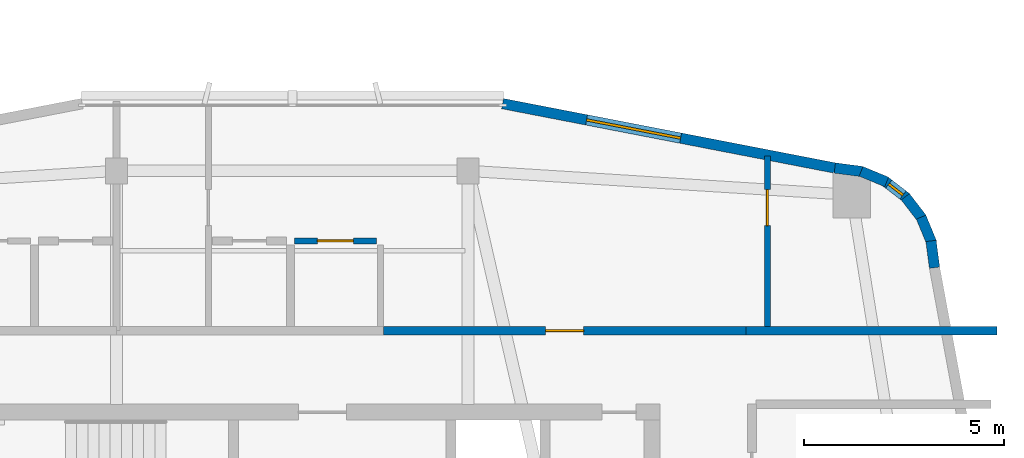
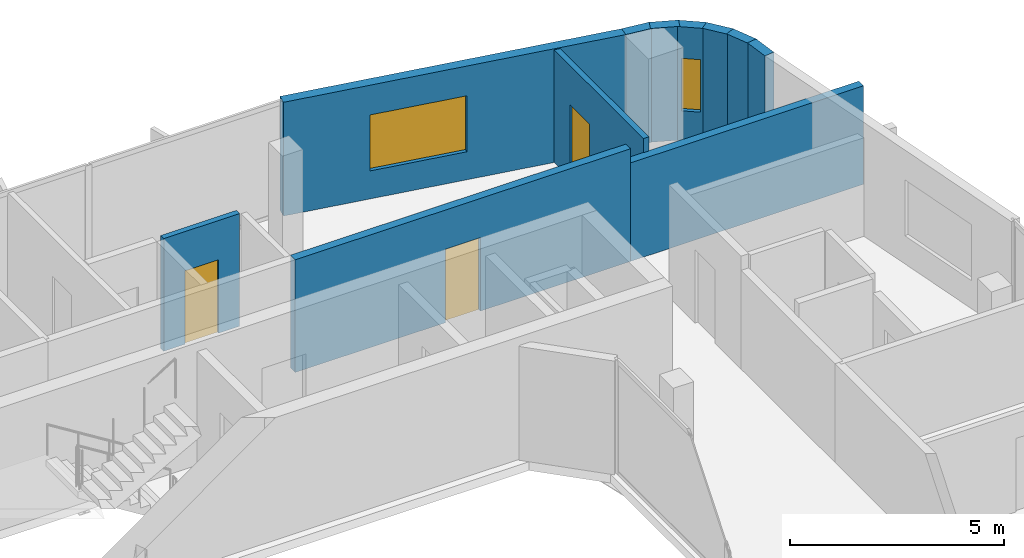
# One storey, part 20 of 26: 11 walls, 3 doors, 2 windows, 5 openings.
"""IFC4 building model written with IfcOpenShell, lengths in metres."""

from ifc_helpers import new_model, si_unit, derived_unit, direction, frame, frame_2d, origin, place, context, subcontext, project, spatial, rectangle, extrude, material, layer, layer_set, type_object, element, fill, save


model = new_model("IFC4")

# Units and contexts
model_context = context("Model", 3, precision=1e-05, world=origin(), true_north=direction((0.0, 1.0)))
body_context = subcontext(model_context, "Body", "Model", "MODEL_VIEW")
ifc_project = project(units=[si_unit("LENGTHUNIT", "METRE"), si_unit("AREAUNIT", "SQUARE_METRE"), si_unit("VOLUMEUNIT", "CUBIC_METRE"), si_unit("PLANEANGLEUNIT", "RADIAN"), si_unit("MASSUNIT", "GRAM", prefix="KILO"), derived_unit("THERMALTRANSMITTANCEUNIT", [(si_unit("POWERUNIT", "WATT"), 1), (si_unit("LENGTHUNIT", "METRE"), -2), (si_unit("THERMODYNAMICTEMPERATUREUNIT", "KELVIN"), -1)])], contexts=[model_context])

# Site, building, storey
site_placement = place(None, origin())
site = spatial("IfcSite", under=ifc_project, at=site_placement, CompositionType="ELEMENT")
building_placement = place(site_placement, origin())
building = spatial("IfcBuilding", under=site, at=building_placement, Name="Kivonza Crest Hotel", CompositionType="ELEMENT")
storey_placement = place(building_placement, frame((0.0, 0.0, 127.5)))
storey = spatial("IfcBuildingStorey", under=building, at=storey_placement, Name="L34", CompositionType="ELEMENT", Elevation=127.5)

# Wall
ifc_material_1 = material(Name="Autoclaved aerated concrete blockwork", Category="masonry")
ifc_layer_1 = layer(ifc_material_1, 0.219970703125)
ifc_layer_set_1 = layer_set([ifc_layer_1], Name="Autoclaved aerated concrete blockwork")
wall_type_1 = type_object("IfcWallType", Name="WL-ACOU-220", PredefinedType="SOLIDWALL", material=ifc_layer_set_1)
wall_1_placement = place(storey_placement, frame((88.35009765625, 37.60009765625, 0.0), z_axis=(0.0, 0.0, 1.0), x_axis=(1.0, 0.0, 0.0)))
element("IfcWall", 1, at=wall_1_placement, inside=storey, type_object=wall_type_1, Name="L34 interior partition WA-L34-A02-RCORR", PredefinedType="SOLIDWALL", context=body_context, shape_type="SweptSolid", body=[
    extrude(rectangle(XDim=6.289794921875, YDim=0.219970703125, at=frame_2d((3.14501953125, 0.0))), origin(), (0.0, 0.0, 1.0), 2.81494140625),
])

# Wall, opening, door
wall_2_placement = place(storey_placement, frame((79.280029296875, 37.60009765625, 0.0), z_axis=(0.0, 0.0, 1.0), x_axis=(1.0, 0.0, 0.0)))
wall_2 = element("IfcWall", 2, at=wall_2_placement, inside=storey, type_object=wall_type_1, Name="L34 interior partition WA-L34-A02-MCORR", PredefinedType="SOLIDWALL", context=body_context, shape_type="SweptSolid", body=[
    extrude(rectangle(XDim=9.070068359375, YDim=0.219970703125, at=frame_2d((4.53515625, 0.0))), origin(), (0.0, 0.0, 1.0), 3.219970703125),
])
opening_1_placement = place(wall_2_placement, frame((4.06005859375, 0.0, 0.0)))
opening_1 = element("IfcOpeningElement", 3, at=opening_1_placement, cuts=wall_2, Name="Opening DU-60", PredefinedType="OPENING", context=body_context, shape_type="SweptSolid", body=[
    extrude(rectangle(XDim=0.949951171875, YDim=2.10009765625, at=frame_2d((0.47509765625, 1.050048828125))), frame((0.0, 0.1201171875, 0.0), z_axis=(0.0, -1.0, 0.0), x_axis=(1.0, 0.0, 0.0)), (0.0, 0.0, 1.0), 0.239990234375),
])
ifc_material_2 = material(Name="Hardwood timber oak", Category="wood")
door_type_1 = type_object("IfcDoorType", Name="DR-UNIT-950", OperationType="NOTDEFINED", PredefinedType="DOOR", material=ifc_material_2)
door_1_placement = place(opening_1_placement, origin())
door_1 = element("IfcDoor", 4, at=door_1_placement, inside=storey, type_object=door_type_1, Name="L34 A02 apartment entrance fire door", OperationType="SINGLE_SWING_RIGHT", OverallHeight=2.10009765625, OverallWidth=0.949951171875, PredefinedType="DOOR", context=body_context, shape_type="SweptSolid", body=[
    extrude(rectangle(XDim=0.949951171875, YDim=2.10009765625, at=frame_2d((0.47509765625, 1.050048828125))), frame((0.0, 0.02490234375, 0.0), z_axis=(0.0, -1.0, 0.0), x_axis=(1.0, 0.0, 0.0)), (0.0, 0.0, 1.0), 0.050048828125),
])
fill(opening_1, door_1)

# Walls
ifc_material_3 = material(Name="Precast concrete C40/50", Category="concrete")
ifc_layer_2 = layer(ifc_material_3, 0.260009765625)
ifc_layer_set_2 = layer_set([ifc_layer_2], Name="Precast concrete C40/50")
wall_type_2 = type_object("IfcWallType", Name="WL-EXT-260", PredefinedType="STANDARD", material=ifc_layer_set_2)
wall_3_placement = place(storey_placement, frame((93.072021484375, 39.175048828125, 0.0), z_axis=(0.0, 0.0, 1.0), x_axis=(-0.131667498923, 0.991293937098, 0.0)))
element("IfcWall", 5, at=wall_3_placement, inside=storey, type_object=wall_type_2, Name="L34 T2 exterior insulated wall 19", PredefinedType="STANDARD", context=body_context, shape_type="SweptSolid", body=[
    extrude(rectangle(XDim=0.6767578125, YDim=0.260009765625, at=frame_2d((0.33837890625, 0.0))), origin(), (0.0, 0.0, 1.0), 3.25),
])
wall_4_placement = place(storey_placement, frame((93.0009765625, 39.800048828125, 0.0), z_axis=(0.0, 0.0, 1.0), x_axis=(-0.381988976935, 0.924166879681, 0.0)))
element("IfcWall", 6, at=wall_4_placement, inside=storey, type_object=wall_type_2, Name="L34 T2 exterior insulated wall 20", PredefinedType="STANDARD", context=body_context, shape_type="SweptSolid", body=[
    extrude(rectangle(XDim=0.693359375, YDim=0.260009765625, at=frame_2d((0.3466796875, 0.0))), origin(), (0.0, 0.0, 1.0), 3.25),
])
wall_5_placement = place(storey_placement, frame((92.763916015625, 40.40087890625, 0.0), z_axis=(0.0, 0.0, 1.0), x_axis=(-0.609472651958, 0.792807092876, 0.0)))
element("IfcWall", 7, at=wall_5_placement, inside=storey, type_object=wall_type_2, Name="L34 T2 exterior insulated wall 21", PredefinedType="STANDARD", context=body_context, shape_type="SweptSolid", body=[
    extrude(rectangle(XDim=0.69384765625, YDim=0.260009765625, at=frame_2d((0.346923828125, 0.0))), origin(), (0.0, 0.0, 1.0), 3.25),
])

# Wall, opening, window
wall_6_placement = place(storey_placement, frame((92.37890625, 40.919921875, 0.0), z_axis=(0.0, 0.0, 1.0), x_axis=(-0.792506234191, 0.609863811657, 0.0)))
wall_6 = element("IfcWall", 8, at=wall_6_placement, inside=storey, type_object=wall_type_2, Name="L34 T2 exterior insulated wall 22", PredefinedType="STANDARD", context=body_context, shape_type="SweptSolid", body=[
    extrude(rectangle(XDim=0.69384765625, YDim=0.260009765625, at=frame_2d((0.346923828125, 0.0))), origin(), (0.0, 0.0, 1.0), 3.25),
])
opening_2_placement = place(wall_6_placement, frame((0.1220703125, 0.0, 0.85009765625)))
opening_2 = element("IfcOpeningElement", 9, at=opening_2_placement, cuts=wall_6, Name="Opening WN-11", PredefinedType="OPENING", context=body_context, shape_type="SweptSolid", body=[
    extrude(rectangle(XDim=0.449951171875, YDim=1.5, at=frame_2d((0.22509765625, 0.75))), frame((0.0, 0.14013671875, 0.0), z_axis=(0.0, -1.0, 0.0), x_axis=(1.0, 0.0, 0.0)), (0.0, 0.0, 1.0), 0.280029296875),
])
ifc_material_4 = material(Name="Thermally broken bronze aluminium and low-E double glazing", Category="aluminium")
window_type_1 = type_object("IfcWindowType", Name="WN-045x150", PartitioningType="SINGLE_PANEL", PredefinedType="WINDOW", material=ifc_material_4)
window_1_placement = place(opening_2_placement, origin())
window_1 = element("IfcWindow", 10, at=window_1_placement, inside=storey, type_object=window_type_1, Name="L34 corner vision window 5", OverallHeight=1.5, OverallWidth=0.449951171875, PartitioningType="SINGLE_PANEL", PredefinedType="WINDOW", context=body_context, shape_type="SweptSolid", body=[
    extrude(rectangle(XDim=0.449951171875, YDim=1.5, at=frame_2d((0.22509765625, 0.75))), frame((0.0, 0.030029296875, 0.0), z_axis=(0.0, -1.0, 0.0), x_axis=(1.0, 0.0, 0.0)), (0.0, 0.0, 1.0), 0.06005859375),
])
fill(opening_2, window_1)

# Walls
wall_7_placement = place(storey_placement, frame((91.873046875, 41.322021484375, 0.0), z_axis=(0.0, 0.0, 1.0), x_axis=(-0.92421822618, 0.381864727877, 0.0)))
element("IfcWall", 11, at=wall_7_placement, inside=storey, type_object=wall_type_2, Name="L34 T2 exterior insulated wall 23", PredefinedType="STANDARD", context=body_context, shape_type="SweptSolid", body=[
    extrude(rectangle(XDim=0.693603515625, YDim=0.260009765625, at=frame_2d((0.3466796875, 0.0))), origin(), (0.0, 0.0, 1.0), 3.25),
])
wall_8_placement = place(storey_placement, frame((91.281005859375, 41.5791015625, 0.0), z_axis=(0.0, 0.0, 1.0), x_axis=(-0.991433279471, 0.130614135366, 0.0)))
element("IfcWall", 12, at=wall_8_placement, inside=storey, type_object=wall_type_2, Name="L34 T2 exterior insulated wall 24", PredefinedType="STANDARD", context=body_context, shape_type="SweptSolid", body=[
    extrude(rectangle(XDim=0.712158203125, YDim=0.260009765625, at=frame_2d((0.35595703125, 0.0))), origin(), (0.0, 0.0, 1.0), 3.25),
])

# Wall, opening, window
wall_9_placement = place(storey_placement, frame((90.5830078125, 41.669921875, 0.0), z_axis=(0.0, 0.0, 1.0), x_axis=(-0.981750199588, 0.190175039396, 0.0)))
wall_9 = element("IfcWall", 13, at=wall_9_placement, inside=storey, type_object=wall_type_2, Name="L34 T2 exterior insulated wall 25", PredefinedType="STANDARD", context=body_context, shape_type="SweptSolid", body=[
    extrude(rectangle(XDim=8.476806640625, YDim=0.260009765625, at=frame_2d((4.23828125, 0.0))), origin(), (0.0, 0.0, 1.0), 3.25),
])
opening_3_placement = place(wall_9_placement, frame((3.93701171875, 0.0, 0.800048828125)))
opening_3 = element("IfcOpeningElement", 14, at=opening_3_placement, cuts=wall_9, Name="Opening WN-05", PredefinedType="OPENING", context=body_context, shape_type="SweptSolid", body=[
    extrude(rectangle(XDim=2.39990234375, YDim=1.60009765625, at=frame_2d((1.199951171875, 0.800048828125))), frame((0.0, 0.14013671875, 0.0), z_axis=(0.0, -1.0, 0.0), x_axis=(1.0, 0.0, 0.0)), (0.0, 0.0, 1.0), 0.280029296875),
])
window_type_2 = type_object("IfcWindowType", Name="WN-240x160", PartitioningType="TRIPLE_PANEL_VERTICAL", PredefinedType="WINDOW", material=ifc_material_4)
window_2_placement = place(opening_3_placement, origin())
window_2 = element("IfcWindow", 15, at=window_2_placement, inside=storey, type_object=window_type_2, Name="L34 T2 facade window 25", OverallHeight=1.60009765625, OverallWidth=2.39990234375, PartitioningType="SINGLE_PANEL", PredefinedType="WINDOW", context=body_context, shape_type="SweptSolid", body=[
    extrude(rectangle(XDim=2.39990234375, YDim=1.60009765625, at=frame_2d((1.199951171875, 0.800048828125))), frame((0.0, 0.030029296875, 0.0), z_axis=(0.0, -1.0, 0.0), x_axis=(1.0, 0.0, 0.0)), (0.0, 0.0, 1.0), 0.06005859375),
])
fill(opening_3, window_2)

# Wall, opening, door
ifc_material_5 = material(Name="Twin-stud acoustic gypsum board partition", Category="gypsum")
ifc_layer_3 = layer(ifc_material_5, 0.14990234375)
ifc_layer_set_3 = layer_set([ifc_layer_3], Name="Twin-stud acoustic gypsum board partition")
wall_type_3 = type_object("IfcWallType", Name="WL-PART-150", PredefinedType="PARTITIONING", material=ifc_layer_set_3)
wall_10_placement = place(storey_placement, frame((88.889892578125, 37.699951171875, 0.0), z_axis=(0.0, 0.0, 1.0), x_axis=(0.0, 1.0, 0.0)))
wall_10 = element("IfcWall", 16, at=wall_10_placement, inside=storey, type_object=wall_type_3, Name="L34 interior partition WP-L34-A02-BDW2", PredefinedType="PARTITIONING", context=body_context, shape_type="SweptSolid", body=[
    extrude(rectangle(XDim=4.27001953125, YDim=0.14990234375, at=frame_2d((2.135009765625, 0.0))), origin(), (0.0, 0.0, 1.0), 3.219970703125),
])
opening_4_placement = place(wall_10_placement, frame((2.530029296875, 0.0, 0.0)))
opening_4 = element("IfcOpeningElement", 17, at=opening_4_placement, cuts=wall_10, Name="Opening DI-90", PredefinedType="OPENING", context=body_context, shape_type="SweptSolid", body=[
    extrude(rectangle(XDim=0.89990234375, YDim=2.10009765625, at=frame_2d((0.449951171875, 1.050048828125))), frame((0.0, 0.0849609375, 0.0), z_axis=(0.0, -1.0, 0.0), x_axis=(1.0, 0.0, 0.0)), (0.0, 0.0, 1.0), 0.169921875),
])
door_type_2 = type_object("IfcDoorType", Name="DR-INT-900", OperationType="NOTDEFINED", PredefinedType="DOOR", material=ifc_material_2)
door_2_placement = place(opening_4_placement, origin())
door_2 = element("IfcDoor", 18, at=door_2_placement, inside=storey, type_object=door_type_2, Name="L34 A02 bedroom 2 door", OperationType="SINGLE_SWING_RIGHT", OverallHeight=2.10009765625, OverallWidth=0.89990234375, PredefinedType="DOOR", context=body_context, shape_type="SweptSolid", body=[
    extrude(rectangle(XDim=0.89990234375, YDim=2.10009765625, at=frame_2d((0.449951171875, 1.050048828125))), frame((0.0, 0.02490234375, 0.0), z_axis=(0.0, -1.0, 0.0), x_axis=(1.0, 0.0, 0.0)), (0.0, 0.0, 1.0), 0.050048828125),
])
fill(opening_4, door_2)

wall_11_placement = place(storey_placement, frame((77.050048828125, 39.85009765625, 0.0), z_axis=(0.0, 0.0, 1.0), x_axis=(1.0, 0.0, 0.0)))
wall_11 = element("IfcWall", 19, at=wall_11_placement, inside=storey, type_object=wall_type_3, Name="L34 interior partition WP-L34-A02-KSVC", PredefinedType="PARTITIONING", context=body_context, shape_type="SweptSolid", body=[
    extrude(rectangle(XDim=2.050048828125, YDim=0.14990234375, at=frame_2d((1.02490234375, 0.0))), origin(), (0.0, 0.0, 1.0), 3.219970703125),
])
opening_5_placement = place(wall_11_placement, frame((0.574951171875, 0.0, 0.0)))
opening_5 = element("IfcOpeningElement", 20, at=opening_5_placement, cuts=wall_11, Name="Opening DI-90", PredefinedType="OPENING", context=body_context, shape_type="SweptSolid", body=[
    extrude(rectangle(XDim=0.89990234375, YDim=2.10009765625, at=frame_2d((0.449951171875, 1.050048828125))), frame((0.0, 0.0849609375, 0.0), z_axis=(0.0, -1.0, 0.0), x_axis=(1.0, 0.0, 0.0)), (0.0, 0.0, 1.0), 0.169921875),
])
door_3_placement = place(opening_5_placement, origin())
door_3 = element("IfcDoor", 21, at=door_3_placement, inside=storey, type_object=door_type_2, Name="L34 A02 apartment kitchen door", OperationType="SINGLE_SWING_RIGHT", OverallHeight=2.10009765625, OverallWidth=0.89990234375, PredefinedType="DOOR", context=body_context, shape_type="SweptSolid", body=[
    extrude(rectangle(XDim=0.89990234375, YDim=2.10009765625, at=frame_2d((0.449951171875, 1.050048828125))), frame((0.0, 0.02490234375, 0.0), z_axis=(0.0, -1.0, 0.0), x_axis=(1.0, 0.0, 0.0)), (0.0, 0.0, 1.0), 0.050048828125),
])
fill(opening_5, door_3)

save(model, "model.ifc")
